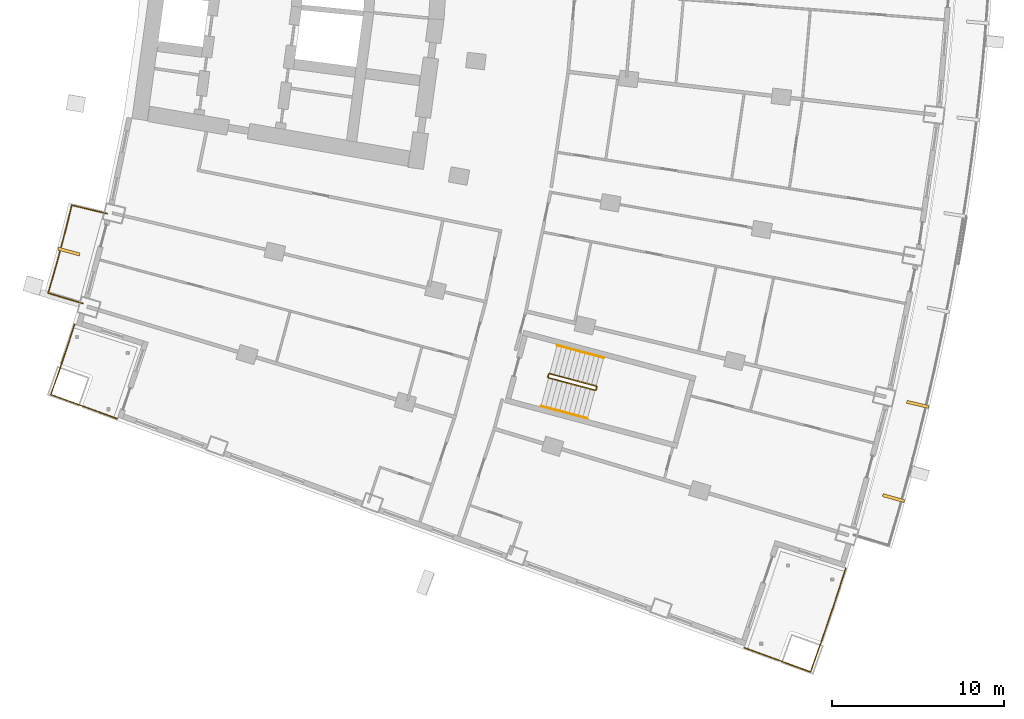
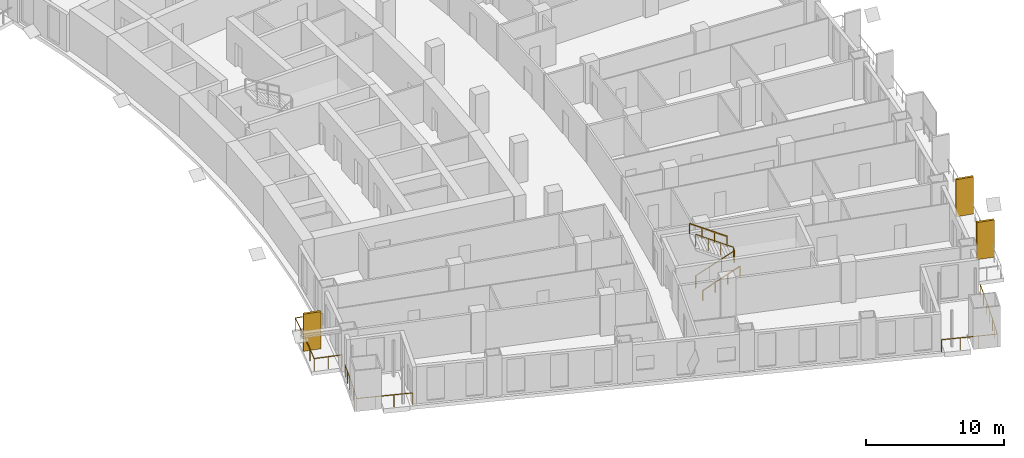
# One storey, part 23 of 25: 6 railings, 3 shading devices.
"""IFC4 building model written with IfcOpenShell, lengths in metres."""

import ifcopenshell
import ifcopenshell.guid

model = None  # the IFC model being written
_history = None  # IfcOwnerHistory: only IFC2X3 demands one
_inside = {}  # id of a spatial element -> (the spatial element, [elements in it])
_under = {}  # id of a project, library or spatial element -> (it, [spatial elements below it])
_declared = {}  # id of a project -> (the project, [libraries it declares])
_typed = {}  # id of a type object -> (the type object, [elements of that type])
_made_of = {}  # id of a material, layer set ... -> (it, [elements and type objects made of it])


def new_model(schema):
    """Start an empty IFC model of exactly this schema.

    Asked for "IFC4X3", IfcOpenShell would pick the latest addendum, in which some entities
    have other attributes; the version numbers below select the first issue.
    IFC2X3 requires an IfcOwnerHistory on every rooted entity: one is made here for all.
    """
    global model, _history
    if schema == "IFC4X3":
        model = ifcopenshell.file(schema_version=(4, 3, 0, 0))
    else:
        model = ifcopenshell.file(schema=schema)
    _inside.clear()
    _under.clear()
    _declared.clear()
    _typed.clear()
    _made_of.clear()
    _history = None
    if model.schema == "IFC2X3":
        org = make("IfcOrganization", Name="unknown")
        user = make(
            "IfcPersonAndOrganization",
            ThePerson=make("IfcPerson", FamilyName="unknown"),
            TheOrganization=org,
        )
        app = make(
            "IfcApplication",
            ApplicationDeveloper=org,
            Version="unknown",
            ApplicationFullName="unknown",
            ApplicationIdentifier="unknown",
        )
        _history = make(
            "IfcOwnerHistory",
            OwningUser=user,
            OwningApplication=app,
            ChangeAction="ADDED",
            CreationDate=0,
        )
    return model


def make(cls, **values):
    """One entity of the class cls with the attributes given. An attribute that is None is left unset."""
    return model.create_entity(
        cls, **{name: value for name, value in values.items() if value is not None}
    )


def rooted(cls, **values):
    """An entity with a GlobalId (a new one), such as an element, a storey or a relation."""
    return make(cls, GlobalId=ifcopenshell.guid.new(), OwnerHistory=_history, **values)


def si_unit(unit_type, name, prefix=None):
    """IfcSIUnit, for example si_unit("LENGTHUNIT", "METRE", prefix="MILLI")."""
    return make("IfcSIUnit", UnitType=unit_type, Prefix=prefix, Name=name)


def assignment(units):
    """IfcUnitAssignment: the units of a project."""
    return None if units is None else make("IfcUnitAssignment", Units=units)


def point(xyz):
    """IfcCartesianPoint."""
    return None if xyz is None else make("IfcCartesianPoint", Coordinates=xyz)


def direction(xyz):
    """IfcDirection."""
    return None if xyz is None else make("IfcDirection", DirectionRatios=xyz)


def frame(location, z_axis=None, x_axis=None):
    """IfcAxis2Placement3D, a coordinate frame: its origin and axes. An axis left out is left unset."""
    return make(
        "IfcAxis2Placement3D",
        Location=point(location),
        Axis=direction(z_axis),
        RefDirection=direction(x_axis),
    )


def frame_2d(location, x_axis=None):
    """IfcAxis2Placement2D, a coordinate frame in the plane: its origin and x axis."""
    return make(
        "IfcAxis2Placement2D", Location=point(location), RefDirection=direction(x_axis)
    )


def origin():
    """The frame at (0, 0, 0) with its axes left unset."""
    return frame((0.0, 0.0, 0.0))


def origin_2d():
    """The frame at (0, 0) in the plane with its x axis left unset."""
    return frame_2d((0.0, 0.0))


def place(relative_to, where):
    """IfcLocalPlacement: puts the frame where relative to a parent placement (None: the world)."""
    return make(
        "IfcLocalPlacement", PlacementRelTo=relative_to, RelativePlacement=where
    )


def context(
    kind, dimensions, precision=None, world=None, true_north=None, identifier=None
):
    """IfcGeometricRepresentationContext, for example the 3D "Model" context."""
    return make(
        "IfcGeometricRepresentationContext",
        ContextIdentifier=identifier,
        ContextType=kind,
        CoordinateSpaceDimension=dimensions,
        Precision=precision,
        WorldCoordinateSystem=world,
        TrueNorth=true_north,
    )


def subcontext(parent, identifier, kind, view, scale=None):
    """IfcGeometricRepresentationSubContext, for example "Body" below "Model"."""
    return make(
        "IfcGeometricRepresentationSubContext",
        ContextIdentifier=identifier,
        ContextType=kind,
        ParentContext=parent,
        TargetScale=scale,
        TargetView=view,
    )


def project(units=None, contexts=None):
    """IfcProject with its units and contexts."""
    return rooted(
        "IfcProject",
        Name="project",
        RepresentationContexts=contexts,
        UnitsInContext=assignment(units),
    )


def spatial(cls, under=None, at=None, **own):
    """A site, building, storey or space (cls), placed at a placement, below another one or the project."""
    s = rooted(cls, ObjectPlacement=at, **own)
    if under is not None:
        _under.setdefault(under.id(), (under, []))[1].append(s)
    return s


def profile(cls, at=None, kind="AREA", **sizes):
    """A parametric profile (cls). Its sizes go by their IFC names, for example OverallWidth=200.0."""
    return make(cls, ProfileType=kind, Position=at, **sizes)


def rectangle(**sizes):
    """IfcRectangleProfileDef."""
    return profile("IfcRectangleProfileDef", **sizes)


def extrude(swept, where, along, depth):
    """IfcExtrudedAreaSolid: the profile swept, set in the frame where, extruded along a direction by depth."""
    return make(
        "IfcExtrudedAreaSolid",
        SweptArea=swept,
        Position=where,
        ExtrudedDirection=direction(along),
        Depth=depth,
    )


def shape(context_of_items, identifier, shape_type, items):
    """IfcShapeRepresentation: the items that make up one representation, for example the "Body"."""
    return make(
        "IfcShapeRepresentation",
        ContextOfItems=context_of_items,
        RepresentationIdentifier=identifier,
        RepresentationType=shape_type,
        Items=items,
    )


def material(Name=None, Category=None):
    """IfcMaterial."""
    return make("IfcMaterial", Name=Name, Category=Category)


def layer(
    of_material, thickness, ventilated=None, Name=None, Category=None, Priority=None
):
    """IfcMaterialLayer: one layer of a wall or slab, of a material (None: an air gap)."""
    return make(
        "IfcMaterialLayer",
        Material=of_material,
        LayerThickness=thickness,
        IsVentilated=ventilated,
        Name=Name,
        Category=Category,
        Priority=Priority,
    )


def layer_set(layers, Name=None):
    """IfcMaterialLayerSet."""
    return make("IfcMaterialLayerSet", MaterialLayers=layers, LayerSetName=Name)


def made_of(thing, what):
    """Note that an element or type object is made of a material, layer set ...; save() writes the relation."""
    if what is not None:
        _made_of.setdefault(what.id(), (what, []))[1].append(thing)
    return thing


def type_object(cls, material=None, **own):
    """A type object (cls), such as IfcWallType, which elements share."""
    return made_of(rooted(cls, **own), material)


def element(
    cls,
    number,
    at=None,
    inside=None,
    cuts=None,
    type_object=None,
    material=None,
    context=None,
    identifier="Body",
    shape_type=None,
    held_by="IfcProductDefinitionShape",
    body=None,
    shapes=None,
    **own,
):
    """One element of the class cls, such as IfcWall. Its Tag is "e" and its number.

    at: its placement. inside: the storey or other place that contains it. cuts: it is an
    opening in that element (IfcRelVoidsElement). A single representation is given by context,
    identifier, shape_type and body (its items); several are given by shapes. held_by: the class
    of the entity that holds the representations. save() writes the other relations.
    """
    e = rooted(cls, Tag="e%d" % number, ObjectPlacement=at, **own)
    if body is not None:
        shapes = [shape(context, identifier, shape_type, body)]
    if shapes is not None:
        e.Representation = make(held_by, Representations=shapes)
    if inside is not None:
        _inside.setdefault(inside.id(), (inside, []))[1].append(e)
    if cuts is not None:
        rooted(
            "IfcRelVoidsElement", RelatingBuildingElement=cuts, RelatedOpeningElement=e
        )
    if type_object is not None:
        _typed.setdefault(type_object.id(), (type_object, []))[1].append(e)
    return made_of(e, material)


def aggregate(whole, parts):
    """IfcRelAggregates: a whole, such as a stair, and the parts it consists of."""
    return rooted("IfcRelAggregates", RelatingObject=whole, RelatedObjects=parts)


def save(model, path):
    """Write the relations noted so far, then the file.

    IfcRelAggregates (storeys below a building ...), IfcRelContainedInSpatialStructure (elements
    in a storey), IfcRelDefinesByType, IfcRelAssociatesMaterial and IfcRelDeclares: one each for
    every whole, place, type object, material and project.
    """
    for whole, parts in _under.values():
        aggregate(whole, parts)
    for where, things in _inside.values():
        rooted(
            "IfcRelContainedInSpatialStructure",
            RelatedElements=things,
            RelatingStructure=where,
        )
    for kind, things in _typed.values():
        rooted("IfcRelDefinesByType", RelatedObjects=things, RelatingType=kind)
    for what, things in _made_of.values():
        rooted("IfcRelAssociatesMaterial", RelatedObjects=things, RelatingMaterial=what)
    for by, libraries in _declared.values():
        rooted("IfcRelDeclares", RelatingContext=by, RelatedDefinitions=libraries)
    model.write(path)


model = new_model("IFC4")

# Units and contexts
model_context = context("Model", 3, precision=1e-05, world=origin(), true_north=direction((0.0, 1.0)))
body_context = subcontext(model_context, "Body", "Model", "MODEL_VIEW")
ifc_project = project(units=[si_unit("LENGTHUNIT", "METRE"), si_unit("AREAUNIT", "SQUARE_METRE"), si_unit("VOLUMEUNIT", "CUBIC_METRE"), si_unit("PLANEANGLEUNIT", "RADIAN"), si_unit("MASSUNIT", "GRAM", prefix="KILO")], contexts=[model_context])

# Site, building, storey
site_placement = place(None, origin())
site = spatial("IfcSite", under=ifc_project, at=site_placement, CompositionType="ELEMENT")
building_placement = place(site_placement, origin())
building = spatial("IfcBuilding", under=site, at=building_placement, Name="Alderwake Tower", CompositionType="ELEMENT")
storey_placement = place(building_placement, frame((0.0, 0.0, 60.800048828125)))
storey = spatial("IfcBuildingStorey", under=building, at=storey_placement, Name="L14", CompositionType="ELEMENT", Elevation=60.800048828125)

# Railings
ifc_material_1 = material(Name="Stainless steel 316 rail and posts", Category="steel")
railing_type_1 = type_object("IfcRailingType", Name="Balcony guard 1100", PredefinedType="GUARDRAIL", material=ifc_material_1)
railing_1_placement = place(storey_placement, frame((12.16650390625, 33.435791015625, 0.0)))
element("IfcRailing", 1, at=railing_1_placement, inside=storey, type_object=railing_type_1, Name="Guard BR02", PredefinedType="GUARDRAIL", context=body_context, shape_type="SweptSolid", body=[
    extrude(rectangle(XDim=0.048095703125, YDim=0.048095703125, at=origin_2d()), frame((0.0, 0.0, 1.076171875), z_axis=(-0.958091458885, 0.286462486918, 0.0), x_axis=(-0.286462486918, -0.958091458885, 0.0)), (0.0, 0.0, 1.0), 2.099853515625),
    extrude(rectangle(XDim=0.048095703125, YDim=0.048095703125, at=origin_2d()), frame((-2.011962890625, 0.6015625, 1.076171875), z_axis=(0.279963157487, 0.960010744966, 0.0), x_axis=(-0.960010744966, 0.279963157487, 0.0)), (0.0, 0.0, 1.0), 1.272216796875),
    extrude(rectangle(XDim=0.048095703125, YDim=0.048095703125, at=origin_2d()), frame((-1.65576171875, 1.822998046875, 1.076171875), z_axis=(0.266487604617, 0.963838345671, 0.0), x_axis=(-0.963838345671, 0.266487604617, 0.0)), (0.0, 0.0, 1.0), 1.372314453125),
    extrude(rectangle(XDim=0.048095703125, YDim=0.048095703125, at=origin_2d()), frame((-1.2900390625, 3.145751953125, 1.076171875), z_axis=(0.252487086228, 0.967600264204, 0.0), x_axis=(-0.967600264204, 0.252487086228, 0.0)), (0.0, 0.0, 1.0), 1.3720703125),
    extrude(rectangle(XDim=0.048095703125, YDim=0.048095703125, at=origin_2d()), frame((-0.943603515625, 4.473388671875, 1.076171875), z_axis=(0.238877101641, 0.971049808358, 0.0), x_axis=(-0.971049808358, 0.238877101641, 0.0)), (0.0, 0.0, 1.0), 1.2724609375),
    extrude(rectangle(XDim=0.048095703125, YDim=0.048095703125, at=origin_2d()), frame((-0.6396484375, 5.708984375, 1.076171875), z_axis=(0.972646310656, -0.232291098337, 0.0), x_axis=(0.232291098337, 0.972646310656, 0.0)), (0.0, 0.0, 1.0), 2.099853515625),
    extrude(rectangle(XDim=0.0419921875, YDim=0.0419921875, at=origin_2d()), frame((0.0, 0.0, 0.0), z_axis=(0.0, 0.0, 1.0), x_axis=(-0.958091458885, 0.286462486918, 0.0)), (0.0, 0.0, 1.0), 1.052001953125),
    extrude(rectangle(XDim=0.0419921875, YDim=0.0419921875, at=origin_2d()), frame((-1.005859375, 0.30078125, 0.0), z_axis=(0.0, 0.0, 1.0), x_axis=(-0.958091458885, 0.286462486918, 0.0)), (0.0, 0.0, 1.0), 1.052001953125),
    extrude(rectangle(XDim=0.0419921875, YDim=0.0419921875, at=origin_2d()), frame((-2.011962890625, 0.6015625, 0.0), z_axis=(0.0, 0.0, 1.0), x_axis=(0.279963157487, 0.960010744966, 0.0)), (0.0, 0.0, 1.0), 1.052001953125),
    extrude(rectangle(XDim=0.0419921875, YDim=0.0419921875, at=origin_2d()), frame((-1.65576171875, 1.822998046875, 0.0), z_axis=(0.0, 0.0, 1.0), x_axis=(0.266487604617, 0.963838345671, 0.0)), (0.0, 0.0, 1.0), 1.052001953125),
    extrude(rectangle(XDim=0.0419921875, YDim=0.0419921875, at=origin_2d()), frame((-1.2900390625, 3.145751953125, 0.0), z_axis=(0.0, 0.0, 1.0), x_axis=(0.252487086228, 0.967600264204, 0.0)), (0.0, 0.0, 1.0), 1.052001953125),
    extrude(rectangle(XDim=0.0419921875, YDim=0.0419921875, at=origin_2d()), frame((-0.943603515625, 4.473388671875, 0.0), z_axis=(0.0, 0.0, 1.0), x_axis=(0.238877101641, 0.971049808358, 0.0)), (0.0, 0.0, 1.0), 1.052001953125),
    extrude(rectangle(XDim=0.0419921875, YDim=0.0419921875, at=origin_2d()), frame((-0.6396484375, 5.708984375, 0.0), z_axis=(0.0, 0.0, 1.0), x_axis=(0.972646310656, -0.232291098337, 0.0)), (0.0, 0.0, 1.0), 1.052001953125),
    extrude(rectangle(XDim=0.0419921875, YDim=0.0419921875, at=origin_2d()), frame((0.381591796875, 5.465087890625, 0.0), z_axis=(0.0, 0.0, 1.0), x_axis=(0.972646310656, -0.232291098337, 0.0)), (0.0, 0.0, 1.0), 1.052001953125),
    extrude(rectangle(XDim=0.0419921875, YDim=0.0419921875, at=origin_2d()), frame((1.40283203125, 5.22119140625, 0.0), z_axis=(0.0, 0.0, 1.0), x_axis=(0.972646310656, -0.232291098337, 0.0)), (0.0, 0.0, 1.0), 1.052001953125),
])
railing_2_placement = place(storey_placement, frame((56.501708984375, 18.048095703125, 0.0)))
element("IfcRailing", 2, at=railing_2_placement, inside=storey, type_object=railing_type_1, Name="Guard terrace FS", PredefinedType="GUARDRAIL", context=body_context, shape_type="SweptSolid", body=[
    extrude(rectangle(XDim=0.048095703125, YDim=0.048095703125, at=origin_2d()), frame((0.0, 0.0, 1.076171875), z_axis=(-0.307695208636, -0.95148497549, 0.0), x_axis=(0.95148497549, -0.307695208636, 0.0)), (0.0, 0.0, 1.0), 2.28662109375),
    extrude(rectangle(XDim=0.048095703125, YDim=0.048095703125, at=origin_2d()), frame((-0.70361328125, -2.17578125, 1.076171875), z_axis=(-0.322292794667, -0.946640034282, 0.0), x_axis=(0.946640034282, -0.322292794667, 0.0)), (0.0, 0.0, 1.0), 2.0869140625),
    extrude(rectangle(XDim=0.048095703125, YDim=0.048095703125, at=origin_2d()), frame((-1.376220703125, -4.1513671875, 1.076171875), z_axis=(-0.335736890056, -0.941955806105, 0.0), x_axis=(0.941955806105, -0.335736890056, 0.0)), (0.0, 0.0, 1.0), 1.986572265625),
    extrude(rectangle(XDim=0.048095703125, YDim=0.048095703125, at=origin_2d()), frame((-2.043212890625, -6.022705078125, 1.076171875), z_axis=(-0.939617696184, 0.342225926863, 0.0), x_axis=(-0.342225926863, -0.939617696184, 0.0)), (0.0, 0.0, 1.0), 4.099853515625),
    extrude(rectangle(XDim=0.0419921875, YDim=0.0419921875, at=origin_2d()), frame((0.0, 0.0, 0.0), z_axis=(0.0, 0.0, 1.0), x_axis=(-0.307695208636, -0.95148497549, 0.0)), (0.0, 0.0, 1.0), 1.052001953125),
    extrude(rectangle(XDim=0.0419921875, YDim=0.0419921875, at=origin_2d()), frame((-0.351806640625, -1.087890625, 0.0), z_axis=(0.0, 0.0, 1.0), x_axis=(-0.307695208636, -0.95148497549, 0.0)), (0.0, 0.0, 1.0), 1.052001953125),
    extrude(rectangle(XDim=0.0419921875, YDim=0.0419921875, at=origin_2d()), frame((-0.70361328125, -2.17578125, 0.0), z_axis=(0.0, 0.0, 1.0), x_axis=(-0.322292794667, -0.946640034282, 0.0)), (0.0, 0.0, 1.0), 1.052001953125),
    extrude(rectangle(XDim=0.0419921875, YDim=0.0419921875, at=origin_2d()), frame((-1.0400390625, -3.16357421875, 0.0), z_axis=(0.0, 0.0, 1.0), x_axis=(-0.322292794667, -0.946640034282, 0.0)), (0.0, 0.0, 1.0), 1.052001953125),
    extrude(rectangle(XDim=0.0419921875, YDim=0.0419921875, at=origin_2d()), frame((-1.376220703125, -4.1513671875, 0.0), z_axis=(0.0, 0.0, 1.0), x_axis=(-0.335736890056, -0.941955806105, 0.0)), (0.0, 0.0, 1.0), 1.052001953125),
    extrude(rectangle(XDim=0.0419921875, YDim=0.0419921875, at=origin_2d()), frame((-1.709716796875, -5.0869140625, 0.0), z_axis=(0.0, 0.0, 1.0), x_axis=(-0.335736890056, -0.941955806105, 0.0)), (0.0, 0.0, 1.0), 1.052001953125),
    extrude(rectangle(XDim=0.0419921875, YDim=0.0419921875, at=origin_2d()), frame((-2.043212890625, -6.022705078125, 0.0), z_axis=(0.0, 0.0, 1.0), x_axis=(-0.939617696184, 0.342225926863, 0.0)), (0.0, 0.0, 1.0), 1.052001953125),
    extrude(rectangle(XDim=0.0419921875, YDim=0.0419921875, at=origin_2d()), frame((-3.327392578125, -5.554931640625, 0.0), z_axis=(0.0, 0.0, 1.0), x_axis=(-0.939617696184, 0.342225926863, 0.0)), (0.0, 0.0, 1.0), 1.052001953125),
    extrude(rectangle(XDim=0.0419921875, YDim=0.0419921875, at=origin_2d()), frame((-4.611328125, -5.08740234375, 0.0), z_axis=(0.0, 0.0, 1.0), x_axis=(-0.939617696184, 0.342225926863, 0.0)), (0.0, 0.0, 1.0), 1.052001953125),
    extrude(rectangle(XDim=0.0419921875, YDim=0.0419921875, at=origin_2d()), frame((-5.8955078125, -4.61962890625, 0.0), z_axis=(0.0, 0.0, 1.0), x_axis=(-0.939617696184, 0.342225926863, 0.0)), (0.0, 0.0, 1.0), 1.052001953125),
])
railing_3_placement = place(storey_placement, frame((11.688720703125, 32.218017578125, 0.0)))
element("IfcRailing", 3, at=railing_3_placement, inside=storey, type_object=railing_type_1, Name="Guard terrace RS", PredefinedType="GUARDRAIL", context=body_context, shape_type="SweptSolid", body=[
    extrude(rectangle(XDim=0.048095703125, YDim=0.048095703125, at=origin_2d()), frame((0.0, 0.0, 1.076171875), z_axis=(-0.307479326145, -0.951554761426, 0.0), x_axis=(0.951554761426, -0.307479326145, 0.0)), (0.0, 0.0, 1.0), 1.6015625),
    extrude(rectangle(XDim=0.048095703125, YDim=0.048095703125, at=origin_2d()), frame((-0.492431640625, -1.52392578125, 1.076171875), z_axis=(-0.322283727344, -0.946643121292, 0.0), x_axis=(0.946643121292, -0.322283727344, 0.0)), (0.0, 0.0, 1.0), 1.4013671875),
    extrude(rectangle(XDim=0.048095703125, YDim=0.048095703125, at=origin_2d()), frame((-0.944091796875, -2.8505859375, 1.076171875), z_axis=(-0.335468607403, -0.942051385778, 0.0), x_axis=(0.942051385778, -0.335468607403, 0.0)), (0.0, 0.0, 1.0), 1.30126953125),
    extrude(rectangle(XDim=0.048095703125, YDim=0.048095703125, at=origin_2d()), frame((-1.380615234375, -4.076416015625, 1.076171875), z_axis=(0.939708203232, -0.341977327873, 0.0), x_axis=(0.341977327873, 0.939708203232, 0.0)), (0.0, 0.0, 1.0), 4.10009765625),
    extrude(rectangle(XDim=0.0419921875, YDim=0.0419921875, at=origin_2d()), frame((0.0, 0.0, 0.0), z_axis=(0.0, 0.0, 1.0), x_axis=(-0.307479326145, -0.951554761426, 0.0)), (0.0, 0.0, 1.0), 1.052001953125),
    extrude(rectangle(XDim=0.0419921875, YDim=0.0419921875, at=origin_2d()), frame((-0.24609375, -0.761962890625, 0.0), z_axis=(0.0, 0.0, 1.0), x_axis=(-0.307479326145, -0.951554761426, 0.0)), (0.0, 0.0, 1.0), 1.052001953125),
    extrude(rectangle(XDim=0.0419921875, YDim=0.0419921875, at=origin_2d()), frame((-0.492431640625, -1.52392578125, 0.0), z_axis=(0.0, 0.0, 1.0), x_axis=(-0.322283727344, -0.946643121292, 0.0)), (0.0, 0.0, 1.0), 1.052001953125),
    extrude(rectangle(XDim=0.0419921875, YDim=0.0419921875, at=origin_2d()), frame((-0.71826171875, -2.187255859375, 0.0), z_axis=(0.0, 0.0, 1.0), x_axis=(-0.322283727344, -0.946643121292, 0.0)), (0.0, 0.0, 1.0), 1.052001953125),
    extrude(rectangle(XDim=0.0419921875, YDim=0.0419921875, at=origin_2d()), frame((-0.944091796875, -2.8505859375, 0.0), z_axis=(0.0, 0.0, 1.0), x_axis=(-0.335468607403, -0.942051385778, 0.0)), (0.0, 0.0, 1.0), 1.052001953125),
    extrude(rectangle(XDim=0.0419921875, YDim=0.0419921875, at=origin_2d()), frame((-1.380615234375, -4.076416015625, 0.0), z_axis=(0.0, 0.0, 1.0), x_axis=(0.939708203232, -0.341977327873, 0.0)), (0.0, 0.0, 1.0), 1.052001953125),
    extrude(rectangle(XDim=0.0419921875, YDim=0.0419921875, at=origin_2d()), frame((-0.096435546875, -4.543701171875, 0.0), z_axis=(0.0, 0.0, 1.0), x_axis=(0.939708203232, -0.341977327873, 0.0)), (0.0, 0.0, 1.0), 1.052001953125),
    extrude(rectangle(XDim=0.0419921875, YDim=0.0419921875, at=origin_2d()), frame((1.18798828125, -5.01123046875, 0.0), z_axis=(0.0, 0.0, 1.0), x_axis=(0.939708203232, -0.341977327873, 0.0)), (0.0, 0.0, 1.0), 1.052001953125),
    extrude(rectangle(XDim=0.0419921875, YDim=0.0419921875, at=origin_2d()), frame((2.47216796875, -5.478515625, 0.0), z_axis=(0.0, 0.0, 1.0), x_axis=(0.939708203232, -0.341977327873, 0.0)), (0.0, 0.0, 1.0), 1.052001953125),
])

# Shading devices
ifc_material_2 = material(Name="Bronze anodised aluminium", Category="aluminium")
ifc_layer = layer(ifc_material_2, 0.179931640625)
ifc_layer_set = layer_set([ifc_layer], Name="Facade fin 1300")
shading_device_type = type_object("IfcShadingDeviceType", Name="Facade fin 1300", PredefinedType="USERDEFINED", material=ifc_layer_set)
for number, where, z_axis, x_axis, name in (
    (4, (59.276123046875, 22.1240234375, 0.0), (0.0, 0.0, 1.0), (0.96318180783, -0.268850897459, 0.0), "Fin"),
    (5, (60.6826171875, 27.570068359375, 0.0), (0.0, 0.0, 1.0), (0.972908790564, -0.231189284448, 0.0), "Fin"),
    (6, (11.359375, 36.45166015625, 0.0), (0.0, 0.0, 1.0), (0.965744448231, -0.259495010957, 0.0), "Fin"),
):
    element("IfcShadingDevice", number, at=place(storey_placement, frame(where, z_axis=z_axis, x_axis=x_axis)), inside=storey, type_object=shading_device_type, Name=name, ObjectType="FIN", PredefinedType="USERDEFINED", context=body_context, shape_type="SweptSolid", body=[
        extrude(rectangle(XDim=1.300048828125, YDim=0.179931640625, at=origin_2d()), origin(), (0.0, 0.0, 1.0), 3.280029296875),
    ])

# Railings
ifc_material_3 = material(Name="Stainless steel guard", Category="steel")
railing_type_2 = type_object("IfcRailingType", Name="Stair guard 1100", PredefinedType="GUARDRAIL", material=ifc_material_3)
railing_4_placement = place(storey_placement, frame((39.1943359375, 29.17431640625, 0.0)))
element("IfcRailing", 7, at=railing_4_placement, inside=storey, type_object=railing_type_2, Name="L14 ST-C stair guard 1", PredefinedType="GUARDRAIL", context=body_context, shape_type="SweptSolid", body=[
    extrude(rectangle(XDim=0.048095703125, YDim=0.048095703125, at=origin_2d()), frame((0.0, 0.0, 1.076171875), z_axis=(0.257459803502, 0.966289009345, 0.0), x_axis=(-0.966289009345, 0.257459803502, 0.0)), (0.0, 0.0, 1.0), 0.14990234375),
    extrude(rectangle(XDim=0.048095703125, YDim=0.048095703125, at=origin_2d()), frame((0.03857421875, 0.144775390625, 1.076171875), z_axis=(-0.012062893862, -0.783160186125, 0.621702991355), x_axis=(0.999881397308, -0.015401016783, 0.0)), (0.0, 0.0, 1.0), 0.26318359375),
    extrude(rectangle(XDim=0.048095703125, YDim=0.048095703125, at=origin_2d()), frame((0.035400390625, -0.061279296875, 1.23974609375), z_axis=(0.834281824786, -0.222214197128, 0.504573768072), x_axis=(0.257380452725, 0.966310148221, 0.0)), (0.0, 0.0, 1.0), 3.2431640625),
    extrude(rectangle(XDim=0.048095703125, YDim=0.048095703125, at=origin_2d()), frame((2.7412109375, -0.781982421875, 2.8759765625), z_axis=(0.865031189262, 0.501718089772, 0.0), x_axis=(-0.501718089772, 0.865031189262, 0.0)), (0.0, 0.0, 1.0), 0.070556640625),
    extrude(rectangle(XDim=0.048095703125, YDim=0.048095703125, at=origin_2d()), frame((2.80224609375, -0.74658203125, 2.8759765625), z_axis=(0.257055032184, 0.966396766566, 0.0), x_axis=(-0.966396766566, 0.257055032184, 0.0)), (0.0, 0.0, 1.0), 0.150146484375),
    extrude(rectangle(XDim=0.048095703125, YDim=0.048095703125, at=origin_2d()), frame((2.8408203125, -0.6015625, 2.8759765625), z_axis=(-0.198625291617, 0.343827228937, 0.91778583023), x_axis=(-0.865898279276, -0.500220121494, 0.0)), (0.0, 0.0, 1.0), 0.17822265625),
    extrude(rectangle(XDim=0.048095703125, YDim=0.048095703125, at=origin_2d()), frame((2.805419921875, -0.540283203125, 3.03955078125), z_axis=(-0.834290631165, 0.222236594766, 0.504549342183), x_axis=(-0.257402139082, -0.966304371715, 0.0)), (0.0, 0.0, 1.0), 3.242919921875),
    extrude(rectangle(XDim=0.0419921875, YDim=0.0419921875, at=origin_2d()), frame((0.0, 0.0, 0.0), z_axis=(0.0, 0.0, 1.0), x_axis=(0.257459803502, 0.966289009345, 0.0)), (0.0, 0.0, 1.0), 1.052001953125),
    extrude(rectangle(XDim=0.0419921875, YDim=0.0419921875, at=origin_2d()), frame((0.03857421875, 0.144775390625, 0.0), z_axis=(0.0, 0.0, 1.0), x_axis=(-0.015401016783, -0.999881397308, 0.0)), (0.0, 0.0, 1.0), 1.052001953125),
    extrude(rectangle(XDim=0.0419921875, YDim=0.0419921875, at=origin_2d()), frame((0.035400390625, -0.061279296875, 0.16357421875), z_axis=(0.0, 0.0, 1.0), x_axis=(0.966310148221, -0.257380452725, 0.0)), (0.0, 0.0, 1.0), 1.052001953125),
    extrude(rectangle(XDim=0.0419921875, YDim=0.0419921875, at=origin_2d()), frame((0.937255859375, -0.301513671875, 0.708984375), z_axis=(0.0, 0.0, 1.0), x_axis=(0.966310148221, -0.257380452725, 0.0)), (0.0, 0.0, 1.0), 1.052001953125),
    extrude(rectangle(XDim=0.0419921875, YDim=0.0419921875, at=origin_2d()), frame((1.83935546875, -0.541748046875, 1.254638671875), z_axis=(0.0, 0.0, 1.0), x_axis=(0.966310148221, -0.257380452725, 0.0)), (0.0, 0.0, 1.0), 1.052001953125),
    extrude(rectangle(XDim=0.0419921875, YDim=0.0419921875, at=origin_2d()), frame((2.7412109375, -0.781982421875, 1.800048828125), z_axis=(0.0, 0.0, 1.0), x_axis=(0.865031189262, 0.501718089772, 0.0)), (0.0, 0.0, 1.0), 1.052001953125),
    extrude(rectangle(XDim=0.0419921875, YDim=0.0419921875, at=origin_2d()), frame((2.80224609375, -0.74658203125, 1.800048828125), z_axis=(0.0, 0.0, 1.0), x_axis=(0.257055032184, 0.966396766566, 0.0)), (0.0, 0.0, 1.0), 1.052001953125),
    extrude(rectangle(XDim=0.0419921875, YDim=0.0419921875, at=origin_2d()), frame((2.8408203125, -0.6015625, 1.800048828125), z_axis=(0.0, 0.0, 1.0), x_axis=(-0.500220121494, 0.865898279276, 0.0)), (0.0, 0.0, 1.0), 1.052001953125),
    extrude(rectangle(XDim=0.0419921875, YDim=0.0419921875, at=origin_2d()), frame((2.805419921875, -0.540283203125, 1.963623046875), z_axis=(0.0, 0.0, 1.0), x_axis=(-0.966304371715, 0.257402139082, 0.0)), (0.0, 0.0, 1.0), 1.052001953125),
    extrude(rectangle(XDim=0.0419921875, YDim=0.0419921875, at=origin_2d()), frame((1.903564453125, -0.300048828125, 2.509033203125), z_axis=(0.0, 0.0, 1.0), x_axis=(-0.966304371715, 0.257402139082, 0.0)), (0.0, 0.0, 1.0), 1.052001953125),
    extrude(rectangle(XDim=0.0419921875, YDim=0.0419921875, at=origin_2d()), frame((1.001708984375, -0.059814453125, 3.054443359375), z_axis=(0.0, 0.0, 1.0), x_axis=(-0.966304371715, 0.257402139082, 0.0)), (0.0, 0.0, 1.0), 1.052001953125),
    extrude(rectangle(XDim=0.0419921875, YDim=0.0419921875, at=origin_2d()), frame((0.099853515625, 0.180419921875, 3.599853515625), z_axis=(0.0, 0.0, 1.0), x_axis=(-0.966304371715, 0.257402139082, 0.0)), (0.0, 0.0, 1.0), 1.052001953125),
])
ifc_material_4 = material(Name="Stainless steel handrail", Category="steel")
railing_type_3 = type_object("IfcRailingType", Name="Stair handrail 900", PredefinedType="HANDRAIL", material=ifc_material_4)
railing_5_placement = place(storey_placement, frame((38.792236328125, 27.47021484375, 0.16357421875)))
element("IfcRailing", 8, at=railing_5_placement, inside=storey, type_object=railing_type_3, Name="L14 ST-C stair handrail 1", PredefinedType="HANDRAIL", context=body_context, shape_type="SweptSolid", body=[
    extrude(rectangle(XDim=0.048095703125, YDim=0.048095703125, at=origin_2d()), frame((0.0, 0.0, 0.8759765625), z_axis=(0.834272895437, -0.222156588561, 0.504613898043), x_axis=(0.25732071773, 0.966326056891, 0.0)), (0.0, 0.0, 1.0), 3.242919921875),
    extrude(rectangle(XDim=0.0419921875, YDim=0.0419921875, at=origin_2d()), frame((0.0, 0.0, 0.0), z_axis=(0.0, 0.0, 1.0), x_axis=(0.966326056891, -0.25732071773, 0.0)), (0.0, 0.0, 1.0), 0.851806640625),
    extrude(rectangle(XDim=0.0419921875, YDim=0.0419921875, at=origin_2d()), frame((0.90185546875, -0.240234375, 0.54541015625), z_axis=(0.0, 0.0, 1.0), x_axis=(0.966326056891, -0.25732071773, 0.0)), (0.0, 0.0, 1.0), 0.851806640625),
    extrude(rectangle(XDim=0.0419921875, YDim=0.0419921875, at=origin_2d()), frame((1.8037109375, -0.480224609375, 1.091064453125), z_axis=(0.0, 0.0, 1.0), x_axis=(0.966326056891, -0.25732071773, 0.0)), (0.0, 0.0, 1.0), 0.851806640625),
    extrude(rectangle(XDim=0.0419921875, YDim=0.0419921875, at=origin_2d()), frame((2.70556640625, -0.720458984375, 1.636474609375), z_axis=(0.0, 0.0, 1.0), x_axis=(0.966326056891, -0.25732071773, 0.0)), (0.0, 0.0, 1.0), 0.851806640625),
])
railing_6_placement = place(storey_placement, frame((42.437255859375, 30.276611328125, 1.963623046875)))
element("IfcRailing", 9, at=railing_6_placement, inside=storey, type_object=railing_type_3, Name="L14 ST-C stair handrail 2", PredefinedType="HANDRAIL", context=body_context, shape_type="SweptSolid", body=[
    extrude(rectangle(XDim=0.048095703125, YDim=0.048095703125, at=origin_2d()), frame((0.0, 0.0, 0.8759765625), z_axis=(-0.834290631165, 0.222236594766, 0.504549342183), x_axis=(-0.257402139082, -0.966304371715, 0.0)), (0.0, 0.0, 1.0), 3.242919921875),
    extrude(rectangle(XDim=0.0419921875, YDim=0.0419921875, at=origin_2d()), frame((0.0, 0.0, 0.0), z_axis=(0.0, 0.0, 1.0), x_axis=(-0.966304371715, 0.257402139082, 0.0)), (0.0, 0.0, 1.0), 0.851806640625),
    extrude(rectangle(XDim=0.0419921875, YDim=0.0419921875, at=origin_2d()), frame((-0.90185546875, 0.240234375, 0.54541015625), z_axis=(0.0, 0.0, 1.0), x_axis=(-0.966304371715, 0.257402139082, 0.0)), (0.0, 0.0, 1.0), 0.851806640625),
    extrude(rectangle(XDim=0.0419921875, YDim=0.0419921875, at=origin_2d()), frame((-1.8037109375, 0.48046875, 1.0908203125), z_axis=(0.0, 0.0, 1.0), x_axis=(-0.966304371715, 0.257402139082, 0.0)), (0.0, 0.0, 1.0), 0.851806640625),
    extrude(rectangle(XDim=0.0419921875, YDim=0.0419921875, at=origin_2d()), frame((-2.70556640625, 0.720703125, 1.63623046875), z_axis=(0.0, 0.0, 1.0), x_axis=(-0.966304371715, 0.257402139082, 0.0)), (0.0, 0.0, 1.0), 0.851806640625),
])

save(model, "model.ifc")
